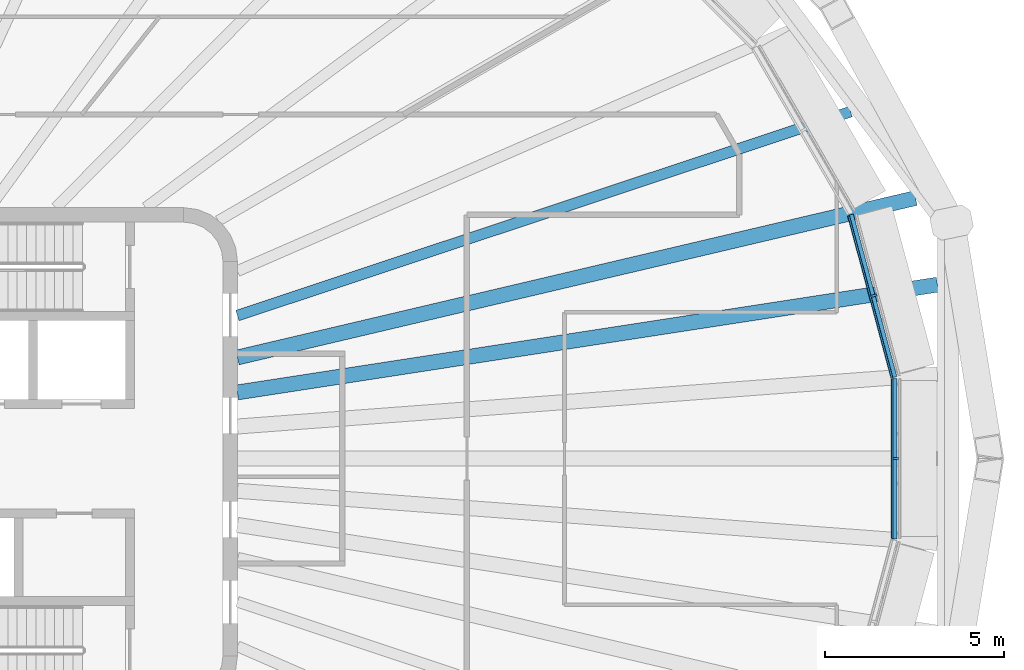
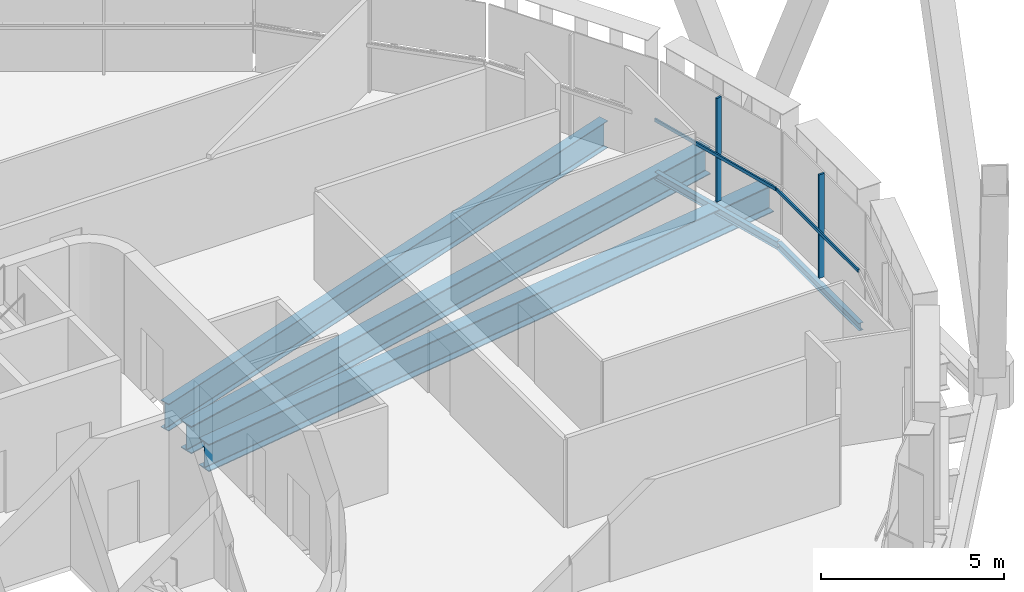
# One storey, part 6 of 22: 5 beams, 4 members, 2 elements without a shape of their own.
"""IFC4 building model written with IfcOpenShell, lengths in metres."""

from ifc_helpers import new_model, si_unit, direction, frame, origin, origin_2d, place, context, subcontext, project, spatial, rectangle, i_section, extrude, material, layer, layer_set, material_profile, profile_set, type_object, element, aggregate, save


model = new_model("IFC4")

# Units and contexts
model_context = context("Model", 3, precision=1e-05, world=origin(), true_north=direction((0.0, 1.0)))
body_context = subcontext(model_context, "Body", "Model", "MODEL_VIEW")
ifc_project = project(units=[si_unit("LENGTHUNIT", "METRE"), si_unit("AREAUNIT", "SQUARE_METRE"), si_unit("VOLUMEUNIT", "CUBIC_METRE"), si_unit("PLANEANGLEUNIT", "RADIAN"), si_unit("MASSUNIT", "GRAM", prefix="KILO")], contexts=[model_context])

# Site, building, storey
site_placement = place(None, origin())
site = spatial("IfcSite", under=ifc_project, at=site_placement, CompositionType="ELEMENT")
building_placement = place(site_placement, origin())
building = spatial("IfcBuilding", under=site, at=building_placement, Name="Sahrelin Media Tower", CompositionType="ELEMENT")
storey_placement = place(building_placement, frame((0.0, 0.0, 233.60009765625)))
storey = spatial("IfcBuildingStorey", under=building, at=storey_placement, Name="L50", CompositionType="ELEMENT", Elevation=233.60009765625)

# Beams
ifc_material_1 = material(Name="Steel S355", Category="steel")
ifc_material_profile_1 = material_profile(ifc_material_1, i_section(OverallWidth=0.14599609375, OverallDepth=0.25146484375, WebThickness=0.006103515625, FlangeThickness=0.008544921875, FilletRadius=0.007568359375, at=origin_2d()), Name="UB 254x146x31")
ifc_profile_set_1 = profile_set([ifc_material_profile_1], Name="Steel S355")
beam_type_1 = type_object("IfcBeamType", Name="Edge beam EB1", PredefinedType="BEAM", material=ifc_profile_set_1)
beam_1_placement = place(storey_placement, frame((30.324951171875, 2.2421875, -0.27587890625), z_axis=(0.0, -1.0, 0.0), x_axis=(1.0, 0.0, 0.0)))
element("IfcBeam", 1, at=beam_1_placement, inside=storey, type_object=beam_type_1, Name="Edge beam L50-01", PredefinedType="BEAM", context=body_context, shape_type="SweptSolid", body=[
    extrude(i_section(OverallWidth=0.14599609375, OverallDepth=0.25146484375, WebThickness=0.006103515625, FlangeThickness=0.008544921875, FilletRadius=0.007568359375, at=origin_2d()), origin(), (0.0, 0.0, 1.0), 4.484375),
])
beam_2_placement = place(storey_placement, frame((29.1064453125, 6.803955078125, -0.27587890625), z_axis=(0.258805425508, -0.965929475545, 0.0), x_axis=(0.965929475545, 0.258805425508, 0.0)))
element("IfcBeam", 2, at=beam_2_placement, inside=storey, type_object=beam_type_1, Name="Edge beam L50-24", PredefinedType="BEAM", context=body_context, shape_type="SweptSolid", body=[
    extrude(i_section(OverallWidth=0.14599609375, OverallDepth=0.25146484375, WebThickness=0.006103515625, FlangeThickness=0.008544921875, FilletRadius=0.007568359375, at=origin_2d()), origin(), (0.0, 0.0, 1.0), 4.693115234375),
])

# Curtain wall, member
ifc_material_2 = material(Name="Champagne anodised aluminium 6063-T6", Category="aluminium")
ifc_layer = layer(ifc_material_2, 0.14990234375)
ifc_layer_set = layer_set([ifc_layer], Name="Tower ribbon curtain wall")
curtain_wall_type = type_object("IfcCurtainWallType", Name="Tower ribbon curtain wall", PredefinedType="NOTDEFINED", material=ifc_layer_set)
curtain_wall_1_placement = place(storey_placement, frame((30.474853515625, 0.0, 0.0), z_axis=(0.0, 0.0, 1.0), x_axis=(1.0, 0.0, 0.0)))
curtain_wall_1 = element("IfcCurtainWall", 3, at=curtain_wall_1_placement, inside=storey, type_object=curtain_wall_type, Name="L50:CW:L50-00", PredefinedType="NOTDEFINED")
ifc_material_profile_2 = material_profile(ifc_material_2, rectangle(XDim=0.06005859375, YDim=0.175048828125, at=origin_2d()), Name="Mullion 60x175")
ifc_profile_set_2 = profile_set([ifc_material_profile_2], Name="Champagne anodised aluminium 6063-T6")
member_type_1 = type_object("IfcMemberType", Name="Mullion 60x175 CW1B", PredefinedType="MULLION", material=ifc_profile_set_2)
member_1_placement = place(storey_placement, frame((30.367431640625, 0.0, 0.0), z_axis=(0.0, 0.0, 1.0), x_axis=(0.0, 1.0, 0.0)))
member_1 = element("IfcMember", 4, at=member_1_placement, type_object=member_type_1, Name="L50:CWM:L50-00", PredefinedType="MULLION", context=body_context, shape_type="SweptSolid", body=[
    extrude(rectangle(XDim=0.06005859375, YDim=0.175048828125, at=origin_2d()), origin(), (0.0, 0.0, 1.0), 3.448486328125),
])

curtain_wall_2_placement = place(storey_placement, frame((29.858642578125, 4.576171875, 0.0), z_axis=(0.0, 0.0, 1.0), x_axis=(1.0, 0.0, 0.0)))
curtain_wall_2 = element("IfcCurtainWall", 5, at=curtain_wall_2_placement, inside=storey, type_object=curtain_wall_type, Name="L50:CW:L50-01", PredefinedType="NOTDEFINED")
member_2_placement = place(storey_placement, frame((29.7548828125, 4.54833984375, 0.0), z_axis=(0.0, 0.0, 1.0), x_axis=(-0.258817359244, 0.965926278012, 0.0)))
member_2 = element("IfcMember", 6, at=member_2_placement, type_object=member_type_1, Name="L50:CWM:L50-01", PredefinedType="MULLION", context=body_context, shape_type="SweptSolid", body=[
    extrude(rectangle(XDim=0.06005859375, YDim=0.175048828125, at=origin_2d()), origin(), (0.0, 0.0, 1.0), 3.448486328125),
])

# Beams
ifc_material_profile_3 = material_profile(ifc_material_1, i_section(OverallWidth=0.41845703125, OverallDepth=0.911865234375, WebThickness=0.019287109375, FlangeThickness=0.031982421875, FilletRadius=0.024169921875, at=origin_2d()), Name="UB 914x419x343")
ifc_profile_set_3 = profile_set([ifc_material_profile_3], Name="Steel S355")
beam_type_2 = type_object("IfcBeamType", Name="Radial primary beam PB12", PredefinedType="BEAM", material=ifc_profile_set_3)
beam_3_placement = place(storey_placement, frame((12.0, 2.821533203125, -0.60595703125), z_axis=(0.973452758978, 0.228888020741, 0.0), x_axis=(-0.228888020741, 0.973452758978, 0.0)))
element("IfcBeam", 7, at=beam_3_placement, inside=storey, type_object=beam_type_2, Name="Radial beam L50-02", PredefinedType="BEAM", context=body_context, shape_type="SweptSolid", body=[
    extrude(i_section(OverallWidth=0.41845703125, OverallDepth=0.911865234375, WebThickness=0.019287109375, FlangeThickness=0.031982421875, FilletRadius=0.024169921875, at=origin_2d()), origin(), (0.0, 0.0, 1.0), 19.425537109375),
])
ifc_material_profile_4 = material_profile(ifc_material_1, i_section(OverallWidth=0.30322265625, OverallDepth=0.903076171875, WebThickness=0.01513671875, FlangeThickness=0.020263671875, FilletRadius=0.01904296875, at=origin_2d()), Name="UB 914x305x201")
ifc_profile_set_4 = profile_set([ifc_material_profile_4], Name="Steel S355")
beam_type_3 = type_object("IfcBeamType", Name="Radial secondary beam SB11", PredefinedType="BEAM", material=ifc_profile_set_4)
beam_4_placement = place(storey_placement, frame((12.0, 3.990478515625, -0.6015625), z_axis=(0.948913325828, 0.315536844228, 0.0), x_axis=(-0.315536844228, 0.948913325828, 0.0)))
element("IfcBeam", 8, at=beam_4_placement, inside=storey, type_object=beam_type_3, Name="Secondary beam L50-02", PredefinedType="BEAM", context=body_context, shape_type="SweptSolid", body=[
    extrude(i_section(OverallWidth=0.30322265625, OverallDepth=0.903076171875, WebThickness=0.01513671875, FlangeThickness=0.020263671875, FilletRadius=0.01904296875, at=origin_2d()), origin(), (0.0, 0.0, 1.0), 18.023193359375),
])
ifc_material_profile_5 = material_profile(ifc_material_1, i_section(OverallWidth=0.41845703125, OverallDepth=0.911865234375, WebThickness=0.019287109375, FlangeThickness=0.031982421875, FilletRadius=0.024169921875, at=origin_2d()), Name="UB 914x419x343")
ifc_profile_set_5 = profile_set([ifc_material_profile_5], Name="Steel S355")
beam_type_4 = type_object("IfcBeamType", Name="Radial secondary beam SB12", PredefinedType="BEAM", material=ifc_profile_set_5)
beam_5_placement = place(storey_placement, frame((12.0, 1.847412109375, -0.60595703125), z_axis=(0.988357404414, 0.152150061256, 0.0), x_axis=(-0.152150061256, 0.988357404414, 0.0)))
element("IfcBeam", 9, at=beam_5_placement, inside=storey, type_object=beam_type_4, Name="Secondary beam L50-01", PredefinedType="BEAM", context=body_context, shape_type="SweptSolid", body=[
    extrude(i_section(OverallWidth=0.41845703125, OverallDepth=0.911865234375, WebThickness=0.019287109375, FlangeThickness=0.031982421875, FilletRadius=0.024169921875, at=origin_2d()), origin(), (0.0, 0.0, 1.0), 19.752685546875),
])

# Member
ifc_material_profile_6 = material_profile(ifc_material_2, rectangle(XDim=0.050048828125, YDim=0.110107421875, at=origin_2d()), Name="Transom 50x110")
ifc_profile_set_6 = profile_set([ifc_material_profile_6], Name="Champagne anodised aluminium 6063-T6")
member_type_2 = type_object("IfcMemberType", Name="Transom 50x110 CW1B", PredefinedType="USERDEFINED", material=ifc_profile_set_6)
member_3_placement = place(storey_placement, frame((30.2548828125, -2.226318359375, 1.599853515625), z_axis=(0.0, 1.0, 0.0), x_axis=(-1.0, 0.0, 0.0)))
member_3 = element("IfcMember", 10, at=member_3_placement, type_object=member_type_2, Name="L50:CWT:L50-00", ObjectType="TRANSOM", PredefinedType="USERDEFINED", context=body_context, shape_type="SweptSolid", body=[
    extrude(rectangle(XDim=0.050048828125, YDim=0.110107421875, at=origin_2d()), origin(), (0.0, 0.0, 1.0), 4.45263671875),
])

aggregate(curtain_wall_1, [member_1, member_3])

member_4_placement = place(storey_placement, frame((30.24951171875, 2.267822265625, 1.599853515625), z_axis=(-0.258829455497, 0.965923036772, 0.0), x_axis=(-0.965923036772, -0.258829455497, 0.0)))
member_4 = element("IfcMember", 11, at=member_4_placement, type_object=member_type_2, Name="L50:CWT:L50-01", ObjectType="TRANSOM", PredefinedType="USERDEFINED", context=body_context, shape_type="SweptSolid", body=[
    extrude(rectangle(XDim=0.050048828125, YDim=0.110107421875, at=origin_2d()), origin(), (0.0, 0.0, 1.0), 4.66162109375),
])

aggregate(curtain_wall_2, [member_2, member_4])

save(model, "model.ifc")
